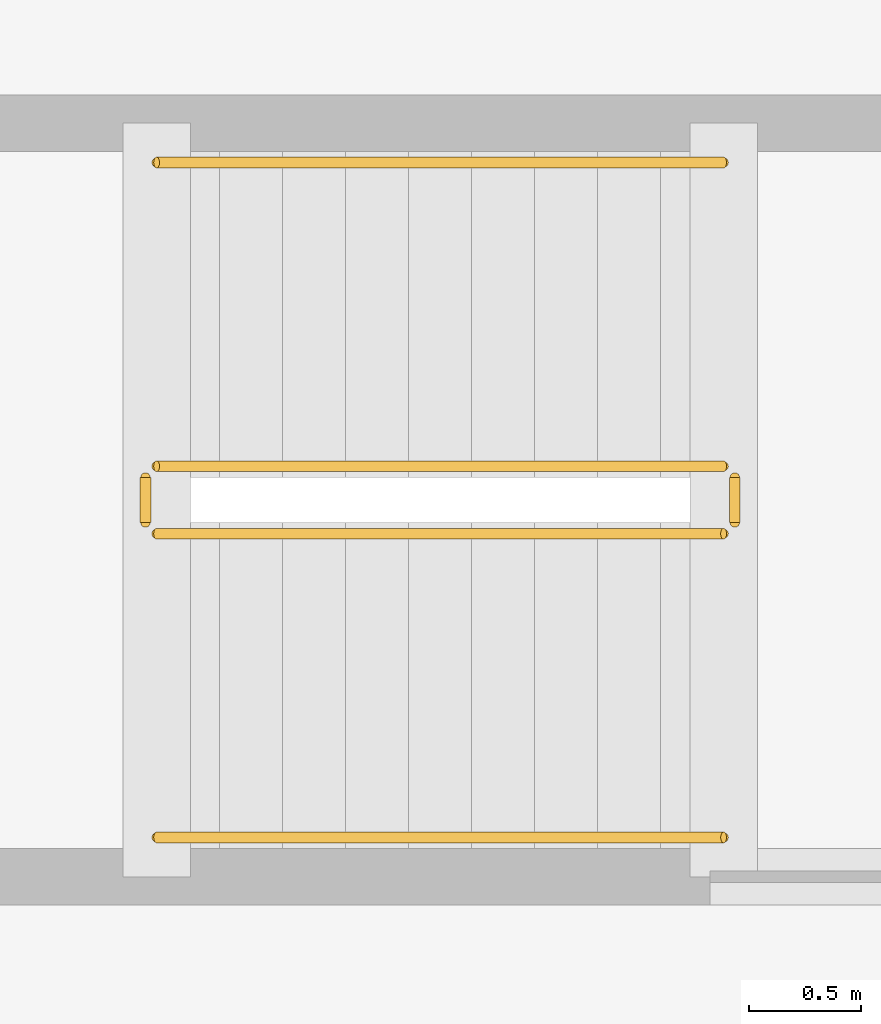
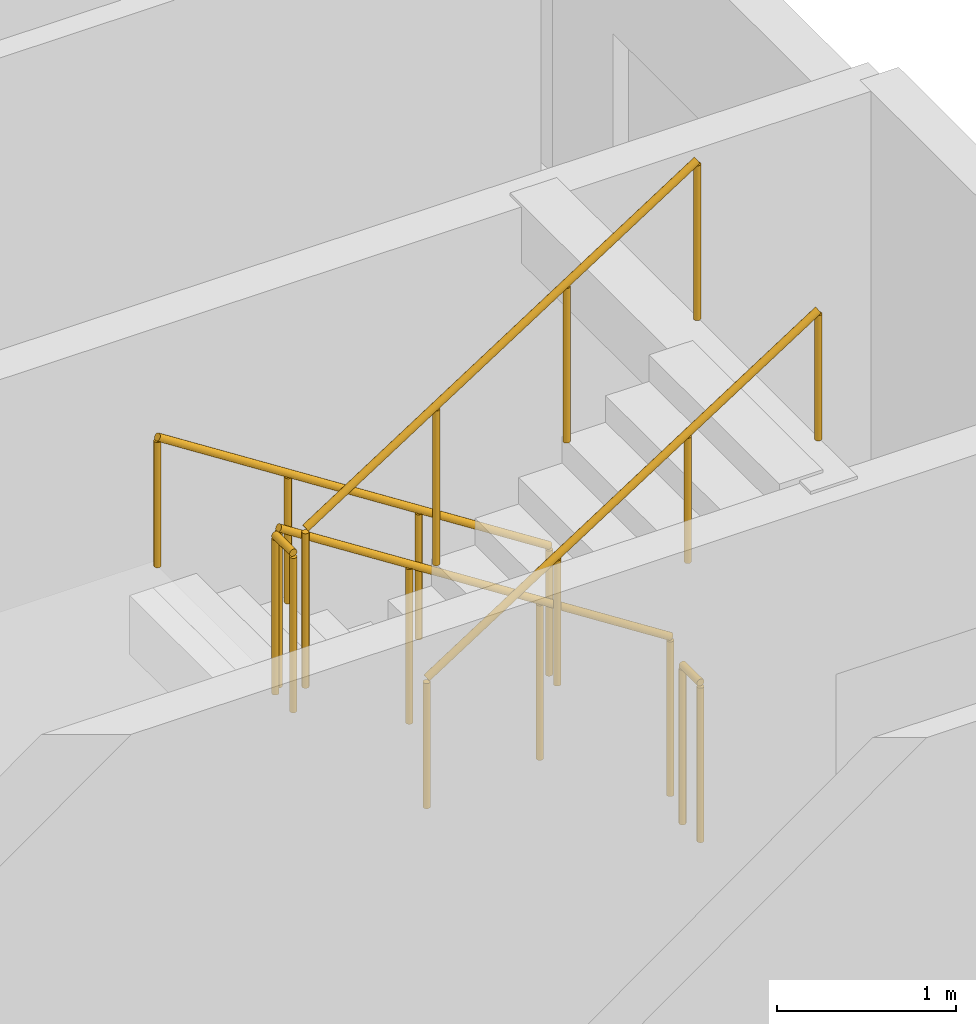
# One storey, part 33 of 33: 6 railings.
"""IFC4 building model written with IfcOpenShell, lengths in metres."""

from ifc_helpers import new_model, si_unit, direction, frame, origin, origin_2d, place, context, subcontext, project, spatial, circle, extrude, material, type_object, element, save


model = new_model("IFC4")

# Units and contexts
model_context = context("Model", 3, precision=1e-05, world=origin(), true_north=direction((0.0, 1.0)))
body_context = subcontext(model_context, "Body", "Model", "MODEL_VIEW")
ifc_project = project(units=[si_unit("LENGTHUNIT", "METRE"), si_unit("AREAUNIT", "SQUARE_METRE"), si_unit("VOLUMEUNIT", "CUBIC_METRE"), si_unit("PLANEANGLEUNIT", "RADIAN"), si_unit("MASSUNIT", "GRAM", prefix="KILO")], contexts=[model_context])

# Site, building, storey
site_placement = place(None, origin())
site = spatial("IfcSite", under=ifc_project, at=site_placement, CompositionType="ELEMENT")
building_placement = place(site_placement, origin())
building = spatial("IfcBuilding", under=site, at=building_placement, Name="Kazehara Bluff Congress Hotel", CompositionType="ELEMENT")
storey_placement = place(building_placement, frame((0.0, 0.0, 39.0)))
storey = spatial("IfcBuildingStorey", under=building, at=storey_placement, Name="L09", CompositionType="ELEMENT", Elevation=39.0)

# Railings
ifc_material_1 = material(Name="Brushed stainless steel", Category="steel")
railing_type_1 = type_object("IfcRailingType", Name="TP-GRD-INT", PredefinedType="GUARDRAIL", material=ifc_material_1)
railing_1_placement = place(storey_placement, frame((165.64990234375, 74.89990234375, 0.179931640625)))
element("IfcRailing", 1, at=railing_1_placement, inside=storey, type_object=railing_type_1, Name="L09 ST-12 stair guard 1", PredefinedType="GUARDRAIL", context=body_context, shape_type="SweptSolid", body=[
    extrude(circle(Radius=0.02392578125, at=origin_2d()), frame((0.0, 0.0, 1.076171875), z_axis=(-0.841162588446, 0.0, 0.540782303519), x_axis=(0.0, -1.0, 0.0)), (0.0, 0.0, 1.0), 2.995849609375),
    extrude(circle(Radius=0.02099609375, at=origin_2d()), origin(), (0.0, 0.0, 1.0), 1.052001953125),
    extrude(circle(Radius=0.02099609375, at=origin_2d()), frame((-0.840087890625, 0.0, 0.5400390625)), (0.0, 0.0, 1.0), 1.052001953125),
    extrude(circle(Radius=0.02099609375, at=origin_2d()), frame((-1.679931640625, 0.0, 1.080078125)), (0.0, 0.0, 1.0), 1.052001953125),
    extrude(circle(Radius=0.02099609375, at=origin_2d()), frame((-2.52001953125, 0.0, 1.6201171875)), (0.0, 0.0, 1.0), 1.052001953125),
])
railing_2_placement = place(storey_placement, frame((163.080078125, 74.85009765625, 1.800048828125)))
element("IfcRailing", 2, at=railing_2_placement, inside=storey, type_object=railing_type_1, Name="L09 ST-12 stair guard 2", PredefinedType="GUARDRAIL", context=body_context, shape_type="SweptSolid", body=[
    extrude(circle(Radius=0.02392578125, at=origin_2d()), frame((0.0, 0.0, 1.076171875), z_axis=(0.0, -1.0, 0.0), x_axis=(1.0, 0.0, 0.0)), (0.0, 0.0, 1.0), 0.2001953125),
    extrude(circle(Radius=0.02099609375, at=origin_2d()), origin(), (0.0, 0.0, 1.0), 1.052001953125),
    extrude(circle(Radius=0.02099609375, at=origin_2d()), frame((0.0, -0.2001953125, 0.0)), (0.0, 0.0, 1.0), 1.052001953125),
])
railing_3_placement = place(storey_placement, frame((163.1298828125, 74.60009765625, 1.97998046875)))
element("IfcRailing", 3, at=railing_3_placement, inside=storey, type_object=railing_type_1, Name="L09 ST-12 stair guard 3", PredefinedType="GUARDRAIL", context=body_context, shape_type="SweptSolid", body=[
    extrude(circle(Radius=0.02392578125, at=origin_2d()), frame((0.0, 0.0, 1.076171875), z_axis=(0.841162588446, 0.0, 0.540782303519), x_axis=(0.0, 1.0, 0.0)), (0.0, 0.0, 1.0), 2.995849609375),
    extrude(circle(Radius=0.02099609375, at=origin_2d()), origin(), (0.0, 0.0, 1.0), 1.052001953125),
    extrude(circle(Radius=0.02099609375, at=origin_2d()), frame((0.840087890625, 0.0, 0.5400390625)), (0.0, 0.0, 1.0), 1.052001953125),
    extrude(circle(Radius=0.02099609375, at=origin_2d()), frame((1.679931640625, 0.0, 1.080078125)), (0.0, 0.0, 1.0), 1.052001953125),
    extrude(circle(Radius=0.02099609375, at=origin_2d()), frame((2.52001953125, 0.0, 1.6201171875)), (0.0, 0.0, 1.0), 1.052001953125),
])
railing_4_placement = place(storey_placement, frame((165.699951171875, 74.85009765625, 0.0)))
element("IfcRailing", 4, at=railing_4_placement, inside=storey, type_object=railing_type_1, Name="L09 ST-12 stair guard 4", PredefinedType="GUARDRAIL", context=body_context, shape_type="SweptSolid", body=[
    extrude(circle(Radius=0.02392578125, at=origin_2d()), frame((0.0, 0.0, 1.076171875), z_axis=(0.0, -1.0, 0.0), x_axis=(1.0, 0.0, 0.0)), (0.0, 0.0, 1.0), 0.2001953125),
    extrude(circle(Radius=0.02099609375, at=origin_2d()), origin(), (0.0, 0.0, 1.0), 1.052001953125),
    extrude(circle(Radius=0.02099609375, at=origin_2d()), frame((0.0, -0.2001953125, 0.0)), (0.0, 0.0, 1.0), 1.052001953125),
])
ifc_material_2 = material(Name="Brushed stainless steel", Category="steel")
railing_type_2 = type_object("IfcRailingType", Name="TP-HR-INT", PredefinedType="HANDRAIL", material=ifc_material_2)
railing_5_placement = place(storey_placement, frame((165.64990234375, 76.25, 0.179931640625)))
element("IfcRailing", 5, at=railing_5_placement, inside=storey, type_object=railing_type_2, Name="L09 ST-12 stair handrail 1", PredefinedType="HANDRAIL", context=body_context, shape_type="SweptSolid", body=[
    extrude(circle(Radius=0.02392578125, at=origin_2d()), frame((0.0, 0.0, 0.8759765625), z_axis=(-0.841162588446, 0.0, 0.540782303519), x_axis=(0.0, -1.0, 0.0)), (0.0, 0.0, 1.0), 2.995849609375),
    extrude(circle(Radius=0.02099609375, at=origin_2d()), origin(), (0.0, 0.0, 1.0), 0.851806640625),
    extrude(circle(Radius=0.02099609375, at=origin_2d()), frame((-0.840087890625, 0.0, 0.5400390625)), (0.0, 0.0, 1.0), 0.851806640625),
    extrude(circle(Radius=0.02099609375, at=origin_2d()), frame((-1.679931640625, 0.0, 1.080078125)), (0.0, 0.0, 1.0), 0.851806640625),
    extrude(circle(Radius=0.02099609375, at=origin_2d()), frame((-2.52001953125, 0.0, 1.6201171875)), (0.0, 0.0, 1.0), 0.851806640625),
])
railing_6_placement = place(storey_placement, frame((163.1298828125, 73.25, 1.97998046875)))
element("IfcRailing", 6, at=railing_6_placement, inside=storey, type_object=railing_type_2, Name="L09 ST-12 stair handrail 2", PredefinedType="HANDRAIL", context=body_context, shape_type="SweptSolid", body=[
    extrude(circle(Radius=0.02392578125, at=origin_2d()), frame((0.0, 0.0, 0.8759765625), z_axis=(0.841162588446, 0.0, 0.540782303519), x_axis=(0.0, 1.0, 0.0)), (0.0, 0.0, 1.0), 2.995849609375),
    extrude(circle(Radius=0.02099609375, at=origin_2d()), origin(), (0.0, 0.0, 1.0), 0.851806640625),
    extrude(circle(Radius=0.02099609375, at=origin_2d()), frame((0.840087890625, 0.0, 0.5400390625)), (0.0, 0.0, 1.0), 0.851806640625),
    extrude(circle(Radius=0.02099609375, at=origin_2d()), frame((1.679931640625, 0.0, 1.080078125)), (0.0, 0.0, 1.0), 0.851806640625),
    extrude(circle(Radius=0.02099609375, at=origin_2d()), frame((2.52001953125, 0.0, 1.6201171875)), (0.0, 0.0, 1.0), 0.851806640625),
])

save(model, "model.ifc")
